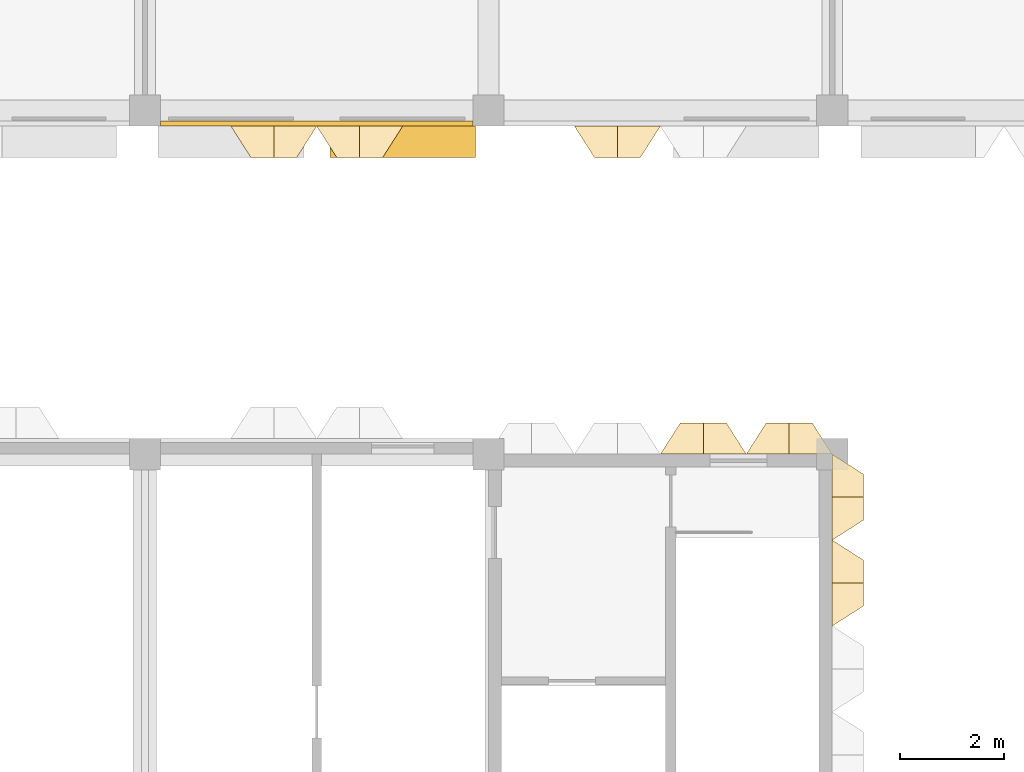
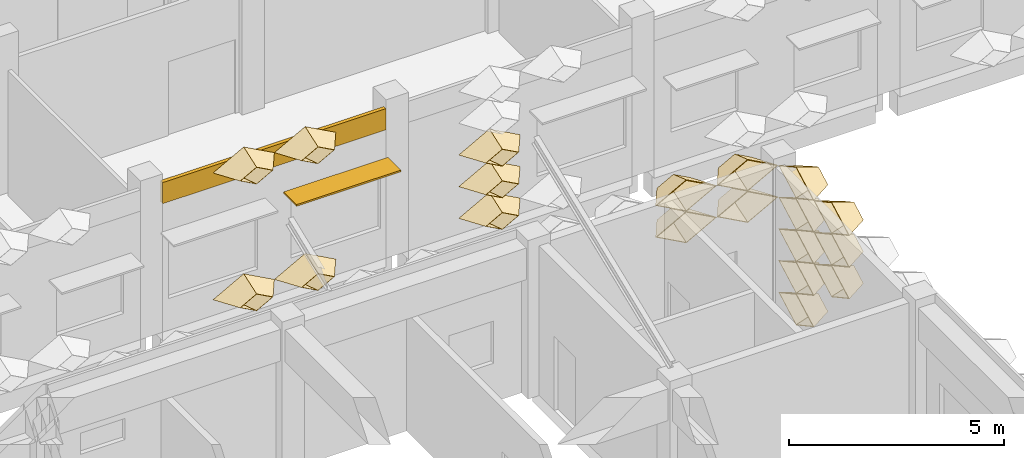
# One storey, part 86 of 102: 20 coverings, 1 shading device.
"""IFC4 building model written with IfcOpenShell, lengths in metres."""

from ifc_helpers import new_model, entity, si_unit, direction, frame, frame_2d, origin, origin_2d, place, context, subcontext, project, spatial, rectangle, extrude, material, layer, layer_set, type_object, element, save


model = new_model("IFC4")

# Units and contexts
model_context = context("Model", 3, precision=1e-05, world=origin(), true_north=direction((0.0, 1.0)))
body_context = subcontext(model_context, "Body", "Model", "MODEL_VIEW")
ifc_project = project(units=[si_unit("LENGTHUNIT", "METRE"), si_unit("AREAUNIT", "SQUARE_METRE"), si_unit("VOLUMEUNIT", "CUBIC_METRE"), si_unit("PLANEANGLEUNIT", "RADIAN"), si_unit("MASSUNIT", "GRAM", prefix="KILO")], contexts=[model_context])

# Site, building, storey
site_placement = place(None, origin())
site = spatial("IfcSite", under=ifc_project, at=site_placement, CompositionType="ELEMENT")
building_placement = place(site_placement, origin())
building = spatial("IfcBuilding", under=site, at=building_placement, Name="Lantern Court Research Institute", CompositionType="ELEMENT")
storey_placement = place(building_placement, frame((0.0, 0.0, 9.89990234375)))
storey = spatial("IfcBuildingStorey", under=building, at=storey_placement, Name="L02", CompositionType="ELEMENT", Elevation=9.89990234375)

# Shading device
ifc_material_1 = material(Name="Aluminium alloy 6063-T6", Category="aluminium")
ifc_layer_1 = layer(ifc_material_1, 0.050048828125)
ifc_layer_set_1 = layer_set([ifc_layer_1], Name="Aluminium alloy 6063-T6")
shading_device_type = type_object("IfcShadingDeviceType", Name="Brise-soleil blade 2800 x 600 x 50 aluminium", PredefinedType="USERDEFINED", material=ifc_layer_set_1)
shading_device_placement = place(storey_placement, frame((18.14990234375, 81.89990234375, 2.80029296875), z_axis=(0.0, 0.0, 1.0), x_axis=(-1.0, 0.0, 0.0)))
element("IfcShadingDevice", 1, at=shading_device_placement, inside=storey, type_object=shading_device_type, Name="Brise-soleil blade L02 S", ObjectType="LOUVRE", PredefinedType="USERDEFINED", context=body_context, shape_type="SweptSolid", body=[
    extrude(rectangle(XDim=2.800048828125, YDim=0.60009765625, at=origin_2d()), origin(), (0.0, 0.0, 1.0), 0.050048828125),
])

# Coverings
ifc_material_2 = material(Name="Aluminium composite panel with mineral wool insulation", Category="aluminium")
ifc_layer_2 = layer(ifc_material_2, 0.10009765625)
ifc_layer_set_2 = layer_set([ifc_layer_2], Name="Aluminium composite panel with mineral wool insulation")
covering_type_1 = type_object("IfcCoveringType", Name="Edge fascia panel 100 aluminium faced", PredefinedType="CLADDING", material=ifc_layer_set_2)
covering_1_placement = place(storey_placement, frame((19.5, 82.25, 3.650146484375), z_axis=(0.0, 0.0, 1.0), x_axis=(-1.0, 0.0, 0.0)))
element("IfcCovering", 2, at=covering_1_placement, inside=storey, type_object=covering_type_1, Name="Edge fascia V6S L02 03", PredefinedType="CLADDING", context=body_context, shape_type="SweptSolid", body=[
    extrude(rectangle(XDim=6.0, YDim=0.10009765625, at=frame_2d((3.0, 0.0))), origin(), (0.0, 0.0, 1.0), 0.599853515625),
])
ifc_material_3 = material(Name="Anodised aluminium", Category="aluminium")
ifc_layer_3 = layer(ifc_material_3, 0.01611328125)
ifc_layer_set_3 = layer_set([ifc_layer_3], Name="Anodised aluminium")
covering_type_2 = type_object("IfcCoveringType", Name="Fin cassette 1650 x 900 x 600 aluminium", PredefinedType="CLADDING", material=ifc_layer_set_3)
covering_2_placement = place(storey_placement, frame((26.39990234375, 75.074951171875, 0.4501953125), z_axis=(1.0, 0.0, 0.0), x_axis=(0.0, 1.0, 0.0)))
cartesian_point_1 = entity("IfcCartesianPoint", [0.824951171875, 0.0])
cartesian_point_2 = entity("IfcCartesianPoint", [0.79150390625, 0.0])
cartesian_point_3 = entity("IfcCartesianPoint", [0.44189453125, 0.0])
cartesian_point_4 = entity("IfcCartesianPoint", [0.43359375, 0.0])
element("IfcCovering", 3, at=covering_2_placement, inside=storey, type_object=covering_type_2, Name="Fin cassette V3E-L02 1.46", PredefinedType="CLADDING", context=body_context, shape_type="SweptSolid", body=[
    entity("IfcExtrudedAreaSolidTapered", entity("IfcArbitraryProfileDefWithVoids", "AREA", None, entity("IfcPolyline", [cartesian_point_1, entity("IfcCartesianPoint", [0.0, 0.449951171875]), entity("IfcCartesianPoint", [-0.824951171875, 0.0]), entity("IfcCartesianPoint", [0.0, -0.449951171875]), cartesian_point_1]), [entity("IfcPolyline", [cartesian_point_2, entity("IfcCartesianPoint", [0.0, 0.431884765625]), entity("IfcCartesianPoint", [-0.79150390625, 0.0]), entity("IfcCartesianPoint", [0.0, -0.431884765625]), cartesian_point_2])]), entity("IfcAxis2Placement3D", entity("IfcCartesianPoint", [0.0, 0.0, 0.0])), entity("IfcDirection", [0.0, 0.0, 1.0]), 0.60009765625, entity("IfcArbitraryProfileDefWithVoids", "AREA", None, entity("IfcPolyline", [cartesian_point_3, entity("IfcCartesianPoint", [0.0, 0.240966796875]), entity("IfcCartesianPoint", [-0.44189453125, 0.0]), entity("IfcCartesianPoint", [0.0, -0.240966796875]), cartesian_point_3]), [entity("IfcPolyline", [cartesian_point_4, entity("IfcCartesianPoint", [0.0, 0.236572265625]), entity("IfcCartesianPoint", [-0.43359375, 0.0]), entity("IfcCartesianPoint", [0.0, -0.236572265625]), cartesian_point_4])])),
])
covering_3_placement = place(storey_placement, frame((26.39990234375, 75.074951171875, 1.35009765625), z_axis=(1.0, 0.0, 0.0), x_axis=(0.0, 1.0, 0.0)))
cartesian_point_5 = entity("IfcCartesianPoint", [0.824951171875, 0.0])
cartesian_point_6 = entity("IfcCartesianPoint", [0.79150390625, 0.0])
cartesian_point_7 = entity("IfcCartesianPoint", [0.44189453125, 0.0])
cartesian_point_8 = entity("IfcCartesianPoint", [0.43359375, 0.0])
element("IfcCovering", 4, at=covering_3_placement, inside=storey, type_object=covering_type_2, Name="Fin cassette V3E-L02 2.46", PredefinedType="CLADDING", context=body_context, shape_type="SweptSolid", body=[
    entity("IfcExtrudedAreaSolidTapered", entity("IfcArbitraryProfileDefWithVoids", "AREA", None, entity("IfcPolyline", [cartesian_point_5, entity("IfcCartesianPoint", [0.0, 0.449951171875]), entity("IfcCartesianPoint", [-0.824951171875, 0.0]), entity("IfcCartesianPoint", [0.0, -0.449951171875]), cartesian_point_5]), [entity("IfcPolyline", [cartesian_point_6, entity("IfcCartesianPoint", [0.0, 0.431884765625]), entity("IfcCartesianPoint", [-0.79150390625, 0.0]), entity("IfcCartesianPoint", [0.0, -0.431884765625]), cartesian_point_6])]), entity("IfcAxis2Placement3D", entity("IfcCartesianPoint", [0.0, 0.0, 0.0])), entity("IfcDirection", [0.0, 0.0, 1.0]), 0.60009765625, entity("IfcArbitraryProfileDefWithVoids", "AREA", None, entity("IfcPolyline", [cartesian_point_7, entity("IfcCartesianPoint", [0.0, 0.240966796875]), entity("IfcCartesianPoint", [-0.44189453125, 0.0]), entity("IfcCartesianPoint", [0.0, -0.240966796875]), cartesian_point_7]), [entity("IfcPolyline", [cartesian_point_8, entity("IfcCartesianPoint", [0.0, 0.236572265625]), entity("IfcCartesianPoint", [-0.43359375, 0.0]), entity("IfcCartesianPoint", [0.0, -0.236572265625]), cartesian_point_8])])),
])
covering_4_placement = place(storey_placement, frame((26.39990234375, 73.425048828125, 2.25), z_axis=(1.0, 0.0, 0.0), x_axis=(0.0, 1.0, 0.0)))
cartesian_point_9 = entity("IfcCartesianPoint", [0.824951171875, 0.0])
cartesian_point_10 = entity("IfcCartesianPoint", [0.79150390625, 0.0])
cartesian_point_11 = entity("IfcCartesianPoint", [0.44189453125, 0.0])
cartesian_point_12 = entity("IfcCartesianPoint", [0.43359375, 0.0])
element("IfcCovering", 5, at=covering_4_placement, inside=storey, type_object=covering_type_2, Name="Fin cassette V3E-L02 3.45", PredefinedType="CLADDING", context=body_context, shape_type="SweptSolid", body=[
    entity("IfcExtrudedAreaSolidTapered", entity("IfcArbitraryProfileDefWithVoids", "AREA", None, entity("IfcPolyline", [cartesian_point_9, entity("IfcCartesianPoint", [0.0, 0.449951171875]), entity("IfcCartesianPoint", [-0.824951171875, 0.0]), entity("IfcCartesianPoint", [0.0, -0.449951171875]), cartesian_point_9]), [entity("IfcPolyline", [cartesian_point_10, entity("IfcCartesianPoint", [0.0, 0.431884765625]), entity("IfcCartesianPoint", [-0.79150390625, 0.0]), entity("IfcCartesianPoint", [0.0, -0.431884765625]), cartesian_point_10])]), entity("IfcAxis2Placement3D", entity("IfcCartesianPoint", [0.0, 0.0, 0.0])), entity("IfcDirection", [0.0, 0.0, 1.0]), 0.60009765625, entity("IfcArbitraryProfileDefWithVoids", "AREA", None, entity("IfcPolyline", [cartesian_point_11, entity("IfcCartesianPoint", [0.0, 0.240966796875]), entity("IfcCartesianPoint", [-0.44189453125, 0.0]), entity("IfcCartesianPoint", [0.0, -0.240966796875]), cartesian_point_11]), [entity("IfcPolyline", [cartesian_point_12, entity("IfcCartesianPoint", [0.0, 0.236572265625]), entity("IfcCartesianPoint", [-0.43359375, 0.0]), entity("IfcCartesianPoint", [0.0, -0.236572265625]), cartesian_point_12])])),
])
covering_5_placement = place(storey_placement, frame((26.39990234375, 75.074951171875, 2.25), z_axis=(1.0, 0.0, 0.0), x_axis=(0.0, 1.0, 0.0)))
cartesian_point_13 = entity("IfcCartesianPoint", [0.824951171875, 0.0])
cartesian_point_14 = entity("IfcCartesianPoint", [0.79150390625, 0.0])
cartesian_point_15 = entity("IfcCartesianPoint", [0.44189453125, 0.0])
cartesian_point_16 = entity("IfcCartesianPoint", [0.43359375, 0.0])
element("IfcCovering", 6, at=covering_5_placement, inside=storey, type_object=covering_type_2, Name="Fin cassette V3E-L02 3.46", PredefinedType="CLADDING", context=body_context, shape_type="SweptSolid", body=[
    entity("IfcExtrudedAreaSolidTapered", entity("IfcArbitraryProfileDefWithVoids", "AREA", None, entity("IfcPolyline", [cartesian_point_13, entity("IfcCartesianPoint", [0.0, 0.449951171875]), entity("IfcCartesianPoint", [-0.824951171875, 0.0]), entity("IfcCartesianPoint", [0.0, -0.449951171875]), cartesian_point_13]), [entity("IfcPolyline", [cartesian_point_14, entity("IfcCartesianPoint", [0.0, 0.431884765625]), entity("IfcCartesianPoint", [-0.79150390625, 0.0]), entity("IfcCartesianPoint", [0.0, -0.431884765625]), cartesian_point_14])]), entity("IfcAxis2Placement3D", entity("IfcCartesianPoint", [0.0, 0.0, 0.0])), entity("IfcDirection", [0.0, 0.0, 1.0]), 0.60009765625, entity("IfcArbitraryProfileDefWithVoids", "AREA", None, entity("IfcPolyline", [cartesian_point_15, entity("IfcCartesianPoint", [0.0, 0.240966796875]), entity("IfcCartesianPoint", [-0.44189453125, 0.0]), entity("IfcCartesianPoint", [0.0, -0.240966796875]), cartesian_point_15]), [entity("IfcPolyline", [cartesian_point_16, entity("IfcCartesianPoint", [0.0, 0.236572265625]), entity("IfcCartesianPoint", [-0.43359375, 0.0]), entity("IfcCartesianPoint", [0.0, -0.236572265625]), cartesian_point_16])])),
])
covering_6_placement = place(storey_placement, frame((26.39990234375, 73.425048828125, 3.150146484375), z_axis=(1.0, 0.0, 0.0), x_axis=(0.0, 1.0, 0.0)))
cartesian_point_17 = entity("IfcCartesianPoint", [0.824951171875, 0.0])
cartesian_point_18 = entity("IfcCartesianPoint", [0.79150390625, 0.0])
cartesian_point_19 = entity("IfcCartesianPoint", [0.44189453125, 0.0])
cartesian_point_20 = entity("IfcCartesianPoint", [0.43359375, 0.0])
element("IfcCovering", 7, at=covering_6_placement, inside=storey, type_object=covering_type_2, Name="Fin cassette V3E-L02 4.45", PredefinedType="CLADDING", context=body_context, shape_type="SweptSolid", body=[
    entity("IfcExtrudedAreaSolidTapered", entity("IfcArbitraryProfileDefWithVoids", "AREA", None, entity("IfcPolyline", [cartesian_point_17, entity("IfcCartesianPoint", [0.0, 0.449951171875]), entity("IfcCartesianPoint", [-0.824951171875, 0.0]), entity("IfcCartesianPoint", [0.0, -0.449951171875]), cartesian_point_17]), [entity("IfcPolyline", [cartesian_point_18, entity("IfcCartesianPoint", [0.0, 0.431884765625]), entity("IfcCartesianPoint", [-0.79150390625, 0.0]), entity("IfcCartesianPoint", [0.0, -0.431884765625]), cartesian_point_18])]), entity("IfcAxis2Placement3D", entity("IfcCartesianPoint", [0.0, 0.0, 0.0])), entity("IfcDirection", [0.0, 0.0, 1.0]), 0.60009765625, entity("IfcArbitraryProfileDefWithVoids", "AREA", None, entity("IfcPolyline", [cartesian_point_19, entity("IfcCartesianPoint", [0.0, 0.240966796875]), entity("IfcCartesianPoint", [-0.44189453125, 0.0]), entity("IfcCartesianPoint", [0.0, -0.240966796875]), cartesian_point_19]), [entity("IfcPolyline", [cartesian_point_20, entity("IfcCartesianPoint", [0.0, 0.236572265625]), entity("IfcCartesianPoint", [-0.43359375, 0.0]), entity("IfcCartesianPoint", [0.0, -0.236572265625]), cartesian_point_20])])),
])
covering_7_placement = place(storey_placement, frame((26.39990234375, 75.074951171875, 3.150146484375), z_axis=(1.0, 0.0, 0.0), x_axis=(0.0, 1.0, 0.0)))
cartesian_point_21 = entity("IfcCartesianPoint", [0.824951171875, 0.0])
cartesian_point_22 = entity("IfcCartesianPoint", [0.79150390625, 0.0])
cartesian_point_23 = entity("IfcCartesianPoint", [0.44189453125, 0.0])
cartesian_point_24 = entity("IfcCartesianPoint", [0.43359375, 0.0])
element("IfcCovering", 8, at=covering_7_placement, inside=storey, type_object=covering_type_2, Name="Fin cassette V3E-L02 4.46", PredefinedType="CLADDING", context=body_context, shape_type="SweptSolid", body=[
    entity("IfcExtrudedAreaSolidTapered", entity("IfcArbitraryProfileDefWithVoids", "AREA", None, entity("IfcPolyline", [cartesian_point_21, entity("IfcCartesianPoint", [0.0, 0.449951171875]), entity("IfcCartesianPoint", [-0.824951171875, 0.0]), entity("IfcCartesianPoint", [0.0, -0.449951171875]), cartesian_point_21]), [entity("IfcPolyline", [cartesian_point_22, entity("IfcCartesianPoint", [0.0, 0.431884765625]), entity("IfcCartesianPoint", [-0.79150390625, 0.0]), entity("IfcCartesianPoint", [0.0, -0.431884765625]), cartesian_point_22])]), entity("IfcAxis2Placement3D", entity("IfcCartesianPoint", [0.0, 0.0, 0.0])), entity("IfcDirection", [0.0, 0.0, 1.0]), 0.60009765625, entity("IfcArbitraryProfileDefWithVoids", "AREA", None, entity("IfcPolyline", [cartesian_point_23, entity("IfcCartesianPoint", [0.0, 0.240966796875]), entity("IfcCartesianPoint", [-0.44189453125, 0.0]), entity("IfcCartesianPoint", [0.0, -0.240966796875]), cartesian_point_23]), [entity("IfcPolyline", [cartesian_point_24, entity("IfcCartesianPoint", [0.0, 0.236572265625]), entity("IfcCartesianPoint", [-0.43359375, 0.0]), entity("IfcCartesianPoint", [0.0, -0.236572265625]), cartesian_point_24])])),
])
covering_8_placement = place(storey_placement, frame((26.39990234375, 73.425048828125, 4.050048828125), z_axis=(1.0, 0.0, 0.0), x_axis=(0.0, 1.0, 0.0)))
cartesian_point_25 = entity("IfcCartesianPoint", [0.824951171875, 0.0])
cartesian_point_26 = entity("IfcCartesianPoint", [0.79150390625, 0.0])
cartesian_point_27 = entity("IfcCartesianPoint", [0.44189453125, 0.0])
cartesian_point_28 = entity("IfcCartesianPoint", [0.43359375, 0.0])
element("IfcCovering", 9, at=covering_8_placement, inside=storey, type_object=covering_type_2, Name="Fin cassette V3E-L02 5.45", PredefinedType="CLADDING", context=body_context, shape_type="SweptSolid", body=[
    entity("IfcExtrudedAreaSolidTapered", entity("IfcArbitraryProfileDefWithVoids", "AREA", None, entity("IfcPolyline", [cartesian_point_25, entity("IfcCartesianPoint", [0.0, 0.449951171875]), entity("IfcCartesianPoint", [-0.824951171875, 0.0]), entity("IfcCartesianPoint", [0.0, -0.449951171875]), cartesian_point_25]), [entity("IfcPolyline", [cartesian_point_26, entity("IfcCartesianPoint", [0.0, 0.431884765625]), entity("IfcCartesianPoint", [-0.79150390625, 0.0]), entity("IfcCartesianPoint", [0.0, -0.431884765625]), cartesian_point_26])]), entity("IfcAxis2Placement3D", entity("IfcCartesianPoint", [0.0, 0.0, 0.0])), entity("IfcDirection", [0.0, 0.0, 1.0]), 0.60009765625, entity("IfcArbitraryProfileDefWithVoids", "AREA", None, entity("IfcPolyline", [cartesian_point_27, entity("IfcCartesianPoint", [0.0, 0.240966796875]), entity("IfcCartesianPoint", [-0.44189453125, 0.0]), entity("IfcCartesianPoint", [0.0, -0.240966796875]), cartesian_point_27]), [entity("IfcPolyline", [cartesian_point_28, entity("IfcCartesianPoint", [0.0, 0.236572265625]), entity("IfcCartesianPoint", [-0.43359375, 0.0]), entity("IfcCartesianPoint", [0.0, -0.236572265625]), cartesian_point_28])])),
])
covering_9_placement = place(storey_placement, frame((26.39990234375, 75.074951171875, 4.050048828125), z_axis=(1.0, 0.0, 0.0), x_axis=(0.0, 1.0, 0.0)))
cartesian_point_29 = entity("IfcCartesianPoint", [0.824951171875, 0.0])
cartesian_point_30 = entity("IfcCartesianPoint", [0.79150390625, 0.0])
cartesian_point_31 = entity("IfcCartesianPoint", [0.44189453125, 0.0])
cartesian_point_32 = entity("IfcCartesianPoint", [0.43359375, 0.0])
element("IfcCovering", 10, at=covering_9_placement, inside=storey, type_object=covering_type_2, Name="Fin cassette V3E-L02 5.46", PredefinedType="CLADDING", context=body_context, shape_type="SweptSolid", body=[
    entity("IfcExtrudedAreaSolidTapered", entity("IfcArbitraryProfileDefWithVoids", "AREA", None, entity("IfcPolyline", [cartesian_point_29, entity("IfcCartesianPoint", [0.0, 0.449951171875]), entity("IfcCartesianPoint", [-0.824951171875, 0.0]), entity("IfcCartesianPoint", [0.0, -0.449951171875]), cartesian_point_29]), [entity("IfcPolyline", [cartesian_point_30, entity("IfcCartesianPoint", [0.0, 0.431884765625]), entity("IfcCartesianPoint", [-0.79150390625, 0.0]), entity("IfcCartesianPoint", [0.0, -0.431884765625]), cartesian_point_30])]), entity("IfcAxis2Placement3D", entity("IfcCartesianPoint", [0.0, 0.0, 0.0])), entity("IfcDirection", [0.0, 0.0, 1.0]), 0.60009765625, entity("IfcArbitraryProfileDefWithVoids", "AREA", None, entity("IfcPolyline", [cartesian_point_31, entity("IfcCartesianPoint", [0.0, 0.240966796875]), entity("IfcCartesianPoint", [-0.44189453125, 0.0]), entity("IfcCartesianPoint", [0.0, -0.240966796875]), cartesian_point_31]), [entity("IfcPolyline", [cartesian_point_32, entity("IfcCartesianPoint", [0.0, 0.236572265625]), entity("IfcCartesianPoint", [-0.43359375, 0.0]), entity("IfcCartesianPoint", [0.0, -0.236572265625]), cartesian_point_32])])),
])
covering_10_placement = place(storey_placement, frame((23.925048828125, 75.89990234375, 3.150146484375), z_axis=(0.0, 1.0, 0.0), x_axis=(-1.0, 0.0, 0.0)))
cartesian_point_33 = entity("IfcCartesianPoint", [0.824951171875, 0.0])
cartesian_point_34 = entity("IfcCartesianPoint", [0.79150390625, 0.0])
cartesian_point_35 = entity("IfcCartesianPoint", [0.44189453125, 0.0])
cartesian_point_36 = entity("IfcCartesianPoint", [0.43359375, 0.0])
element("IfcCovering", 11, at=covering_10_placement, inside=storey, type_object=covering_type_2, Name="Fin cassette V3N-L02 4.15", PredefinedType="CLADDING", context=body_context, shape_type="SweptSolid", body=[
    entity("IfcExtrudedAreaSolidTapered", entity("IfcArbitraryProfileDefWithVoids", "AREA", None, entity("IfcPolyline", [cartesian_point_33, entity("IfcCartesianPoint", [0.0, 0.449951171875]), entity("IfcCartesianPoint", [-0.824951171875, 0.0]), entity("IfcCartesianPoint", [0.0, -0.449951171875]), cartesian_point_33]), [entity("IfcPolyline", [cartesian_point_34, entity("IfcCartesianPoint", [0.0, 0.431884765625]), entity("IfcCartesianPoint", [-0.79150390625, 0.0]), entity("IfcCartesianPoint", [0.0, -0.431884765625]), cartesian_point_34])]), entity("IfcAxis2Placement3D", entity("IfcCartesianPoint", [0.0, 0.0, 0.0])), entity("IfcDirection", [0.0, 0.0, 1.0]), 0.60009765625, entity("IfcArbitraryProfileDefWithVoids", "AREA", None, entity("IfcPolyline", [cartesian_point_35, entity("IfcCartesianPoint", [0.0, 0.240966796875]), entity("IfcCartesianPoint", [-0.44189453125, 0.0]), entity("IfcCartesianPoint", [0.0, -0.240966796875]), cartesian_point_35]), [entity("IfcPolyline", [cartesian_point_36, entity("IfcCartesianPoint", [0.0, 0.236572265625]), entity("IfcCartesianPoint", [-0.43359375, 0.0]), entity("IfcCartesianPoint", [0.0, -0.236572265625]), cartesian_point_36])])),
])
covering_11_placement = place(storey_placement, frame((25.574951171875, 75.89990234375, 3.150146484375), z_axis=(0.0, 1.0, 0.0), x_axis=(-1.0, 0.0, 0.0)))
cartesian_point_37 = entity("IfcCartesianPoint", [0.824951171875, 0.0])
cartesian_point_38 = entity("IfcCartesianPoint", [0.79150390625, 0.0])
cartesian_point_39 = entity("IfcCartesianPoint", [0.44189453125, 0.0])
cartesian_point_40 = entity("IfcCartesianPoint", [0.43359375, 0.0])
element("IfcCovering", 12, at=covering_11_placement, inside=storey, type_object=covering_type_2, Name="Fin cassette V3N-L02 4.16", PredefinedType="CLADDING", context=body_context, shape_type="SweptSolid", body=[
    entity("IfcExtrudedAreaSolidTapered", entity("IfcArbitraryProfileDefWithVoids", "AREA", None, entity("IfcPolyline", [cartesian_point_37, entity("IfcCartesianPoint", [0.0, 0.449951171875]), entity("IfcCartesianPoint", [-0.824951171875, 0.0]), entity("IfcCartesianPoint", [0.0, -0.449951171875]), cartesian_point_37]), [entity("IfcPolyline", [cartesian_point_38, entity("IfcCartesianPoint", [0.0, 0.431884765625]), entity("IfcCartesianPoint", [-0.79150390625, 0.0]), entity("IfcCartesianPoint", [0.0, -0.431884765625]), cartesian_point_38])]), entity("IfcAxis2Placement3D", entity("IfcCartesianPoint", [0.0, 0.0, 0.0])), entity("IfcDirection", [0.0, 0.0, 1.0]), 0.60009765625, entity("IfcArbitraryProfileDefWithVoids", "AREA", None, entity("IfcPolyline", [cartesian_point_39, entity("IfcCartesianPoint", [0.0, 0.240966796875]), entity("IfcCartesianPoint", [-0.44189453125, 0.0]), entity("IfcCartesianPoint", [0.0, -0.240966796875]), cartesian_point_39]), [entity("IfcPolyline", [cartesian_point_40, entity("IfcCartesianPoint", [0.0, 0.236572265625]), entity("IfcCartesianPoint", [-0.43359375, 0.0]), entity("IfcCartesianPoint", [0.0, -0.236572265625]), cartesian_point_40])])),
])
covering_12_placement = place(storey_placement, frame((23.925048828125, 75.89990234375, 4.050048828125), z_axis=(0.0, 1.0, 0.0), x_axis=(-1.0, 0.0, 0.0)))
cartesian_point_41 = entity("IfcCartesianPoint", [0.824951171875, 0.0])
cartesian_point_42 = entity("IfcCartesianPoint", [0.79150390625, 0.0])
cartesian_point_43 = entity("IfcCartesianPoint", [0.44189453125, 0.0])
cartesian_point_44 = entity("IfcCartesianPoint", [0.43359375, 0.0])
element("IfcCovering", 13, at=covering_12_placement, inside=storey, type_object=covering_type_2, Name="Fin cassette V3N-L02 5.15", PredefinedType="CLADDING", context=body_context, shape_type="SweptSolid", body=[
    entity("IfcExtrudedAreaSolidTapered", entity("IfcArbitraryProfileDefWithVoids", "AREA", None, entity("IfcPolyline", [cartesian_point_41, entity("IfcCartesianPoint", [0.0, 0.449951171875]), entity("IfcCartesianPoint", [-0.824951171875, 0.0]), entity("IfcCartesianPoint", [0.0, -0.449951171875]), cartesian_point_41]), [entity("IfcPolyline", [cartesian_point_42, entity("IfcCartesianPoint", [0.0, 0.431884765625]), entity("IfcCartesianPoint", [-0.79150390625, 0.0]), entity("IfcCartesianPoint", [0.0, -0.431884765625]), cartesian_point_42])]), entity("IfcAxis2Placement3D", entity("IfcCartesianPoint", [0.0, 0.0, 0.0])), entity("IfcDirection", [0.0, 0.0, 1.0]), 0.60009765625, entity("IfcArbitraryProfileDefWithVoids", "AREA", None, entity("IfcPolyline", [cartesian_point_43, entity("IfcCartesianPoint", [0.0, 0.240966796875]), entity("IfcCartesianPoint", [-0.44189453125, 0.0]), entity("IfcCartesianPoint", [0.0, -0.240966796875]), cartesian_point_43]), [entity("IfcPolyline", [cartesian_point_44, entity("IfcCartesianPoint", [0.0, 0.236572265625]), entity("IfcCartesianPoint", [-0.43359375, 0.0]), entity("IfcCartesianPoint", [0.0, -0.236572265625]), cartesian_point_44])])),
])
covering_13_placement = place(storey_placement, frame((25.574951171875, 75.89990234375, 4.050048828125), z_axis=(0.0, 1.0, 0.0), x_axis=(-1.0, 0.0, 0.0)))
cartesian_point_45 = entity("IfcCartesianPoint", [0.824951171875, 0.0])
cartesian_point_46 = entity("IfcCartesianPoint", [0.79150390625, 0.0])
cartesian_point_47 = entity("IfcCartesianPoint", [0.44189453125, 0.0])
cartesian_point_48 = entity("IfcCartesianPoint", [0.43359375, 0.0])
element("IfcCovering", 14, at=covering_13_placement, inside=storey, type_object=covering_type_2, Name="Fin cassette V3N-L02 5.16", PredefinedType="CLADDING", context=body_context, shape_type="SweptSolid", body=[
    entity("IfcExtrudedAreaSolidTapered", entity("IfcArbitraryProfileDefWithVoids", "AREA", None, entity("IfcPolyline", [cartesian_point_45, entity("IfcCartesianPoint", [0.0, 0.449951171875]), entity("IfcCartesianPoint", [-0.824951171875, 0.0]), entity("IfcCartesianPoint", [0.0, -0.449951171875]), cartesian_point_45]), [entity("IfcPolyline", [cartesian_point_46, entity("IfcCartesianPoint", [0.0, 0.431884765625]), entity("IfcCartesianPoint", [-0.79150390625, 0.0]), entity("IfcCartesianPoint", [0.0, -0.431884765625]), cartesian_point_46])]), entity("IfcAxis2Placement3D", entity("IfcCartesianPoint", [0.0, 0.0, 0.0])), entity("IfcDirection", [0.0, 0.0, 1.0]), 0.60009765625, entity("IfcArbitraryProfileDefWithVoids", "AREA", None, entity("IfcPolyline", [cartesian_point_47, entity("IfcCartesianPoint", [0.0, 0.240966796875]), entity("IfcCartesianPoint", [-0.44189453125, 0.0]), entity("IfcCartesianPoint", [0.0, -0.240966796875]), cartesian_point_47]), [entity("IfcPolyline", [cartesian_point_48, entity("IfcCartesianPoint", [0.0, 0.236572265625]), entity("IfcCartesianPoint", [-0.43359375, 0.0]), entity("IfcCartesianPoint", [0.0, -0.236572265625]), cartesian_point_48])])),
])
covering_14_placement = place(storey_placement, frame((15.675048828125, 82.199951171875, 0.4501953125), z_axis=(0.0, -1.0, 0.0), x_axis=(1.0, 0.0, 0.0)))
cartesian_point_49 = entity("IfcCartesianPoint", [0.824951171875, 0.0])
cartesian_point_50 = entity("IfcCartesianPoint", [0.79150390625, 0.0])
cartesian_point_51 = entity("IfcCartesianPoint", [0.44189453125, 0.0])
cartesian_point_52 = entity("IfcCartesianPoint", [0.43359375, 0.0])
element("IfcCovering", 15, at=covering_14_placement, inside=storey, type_object=covering_type_2, Name="Fin cassette V6S-L02 1.10", PredefinedType="CLADDING", context=body_context, shape_type="SweptSolid", body=[
    entity("IfcExtrudedAreaSolidTapered", entity("IfcArbitraryProfileDefWithVoids", "AREA", None, entity("IfcPolyline", [cartesian_point_49, entity("IfcCartesianPoint", [0.0, 0.449951171875]), entity("IfcCartesianPoint", [-0.824951171875, 0.0]), entity("IfcCartesianPoint", [0.0, -0.449951171875]), cartesian_point_49]), [entity("IfcPolyline", [cartesian_point_50, entity("IfcCartesianPoint", [0.0, 0.431884765625]), entity("IfcCartesianPoint", [-0.79150390625, 0.0]), entity("IfcCartesianPoint", [0.0, -0.431884765625]), cartesian_point_50])]), entity("IfcAxis2Placement3D", entity("IfcCartesianPoint", [0.0, 0.0, 0.0])), entity("IfcDirection", [0.0, 0.0, 1.0]), 0.60009765625, entity("IfcArbitraryProfileDefWithVoids", "AREA", None, entity("IfcPolyline", [cartesian_point_51, entity("IfcCartesianPoint", [0.0, 0.240966796875]), entity("IfcCartesianPoint", [-0.44189453125, 0.0]), entity("IfcCartesianPoint", [0.0, -0.240966796875]), cartesian_point_51]), [entity("IfcPolyline", [cartesian_point_52, entity("IfcCartesianPoint", [0.0, 0.236572265625]), entity("IfcCartesianPoint", [-0.43359375, 0.0]), entity("IfcCartesianPoint", [0.0, -0.236572265625]), cartesian_point_52])])),
])
covering_15_placement = place(storey_placement, frame((17.324951171875, 82.199951171875, 0.4501953125), z_axis=(0.0, -1.0, 0.0), x_axis=(1.0, 0.0, 0.0)))
cartesian_point_53 = entity("IfcCartesianPoint", [0.824951171875, 0.0])
cartesian_point_54 = entity("IfcCartesianPoint", [0.79150390625, 0.0])
cartesian_point_55 = entity("IfcCartesianPoint", [0.44189453125, 0.0])
cartesian_point_56 = entity("IfcCartesianPoint", [0.43359375, 0.0])
element("IfcCovering", 16, at=covering_15_placement, inside=storey, type_object=covering_type_2, Name="Fin cassette V6S-L02 1.11", PredefinedType="CLADDING", context=body_context, shape_type="SweptSolid", body=[
    entity("IfcExtrudedAreaSolidTapered", entity("IfcArbitraryProfileDefWithVoids", "AREA", None, entity("IfcPolyline", [cartesian_point_53, entity("IfcCartesianPoint", [0.0, 0.449951171875]), entity("IfcCartesianPoint", [-0.824951171875, 0.0]), entity("IfcCartesianPoint", [0.0, -0.449951171875]), cartesian_point_53]), [entity("IfcPolyline", [cartesian_point_54, entity("IfcCartesianPoint", [0.0, 0.431884765625]), entity("IfcCartesianPoint", [-0.79150390625, 0.0]), entity("IfcCartesianPoint", [0.0, -0.431884765625]), cartesian_point_54])]), entity("IfcAxis2Placement3D", entity("IfcCartesianPoint", [0.0, 0.0, 0.0])), entity("IfcDirection", [0.0, 0.0, 1.0]), 0.60009765625, entity("IfcArbitraryProfileDefWithVoids", "AREA", None, entity("IfcPolyline", [cartesian_point_55, entity("IfcCartesianPoint", [0.0, 0.240966796875]), entity("IfcCartesianPoint", [-0.44189453125, 0.0]), entity("IfcCartesianPoint", [0.0, -0.240966796875]), cartesian_point_55]), [entity("IfcPolyline", [cartesian_point_56, entity("IfcCartesianPoint", [0.0, 0.236572265625]), entity("IfcCartesianPoint", [-0.43359375, 0.0]), entity("IfcCartesianPoint", [0.0, -0.236572265625]), cartesian_point_56])])),
])
covering_16_placement = place(storey_placement, frame((22.27490234375, 82.199951171875, 0.4501953125), z_axis=(0.0, -1.0, 0.0), x_axis=(1.0, 0.0, 0.0)))
cartesian_point_57 = entity("IfcCartesianPoint", [0.824951171875, 0.0])
cartesian_point_58 = entity("IfcCartesianPoint", [0.79150390625, 0.0])
cartesian_point_59 = entity("IfcCartesianPoint", [0.44189453125, 0.0])
cartesian_point_60 = entity("IfcCartesianPoint", [0.43359375, 0.0])
element("IfcCovering", 17, at=covering_16_placement, inside=storey, type_object=covering_type_2, Name="Fin cassette V6S-L02 1.14", PredefinedType="CLADDING", context=body_context, shape_type="SweptSolid", body=[
    entity("IfcExtrudedAreaSolidTapered", entity("IfcArbitraryProfileDefWithVoids", "AREA", None, entity("IfcPolyline", [cartesian_point_57, entity("IfcCartesianPoint", [0.0, 0.449951171875]), entity("IfcCartesianPoint", [-0.824951171875, 0.0]), entity("IfcCartesianPoint", [0.0, -0.449951171875]), cartesian_point_57]), [entity("IfcPolyline", [cartesian_point_58, entity("IfcCartesianPoint", [0.0, 0.431884765625]), entity("IfcCartesianPoint", [-0.79150390625, 0.0]), entity("IfcCartesianPoint", [0.0, -0.431884765625]), cartesian_point_58])]), entity("IfcAxis2Placement3D", entity("IfcCartesianPoint", [0.0, 0.0, 0.0])), entity("IfcDirection", [0.0, 0.0, 1.0]), 0.60009765625, entity("IfcArbitraryProfileDefWithVoids", "AREA", None, entity("IfcPolyline", [cartesian_point_59, entity("IfcCartesianPoint", [0.0, 0.240966796875]), entity("IfcCartesianPoint", [-0.44189453125, 0.0]), entity("IfcCartesianPoint", [0.0, -0.240966796875]), cartesian_point_59]), [entity("IfcPolyline", [cartesian_point_60, entity("IfcCartesianPoint", [0.0, 0.236572265625]), entity("IfcCartesianPoint", [-0.43359375, 0.0]), entity("IfcCartesianPoint", [0.0, -0.236572265625]), cartesian_point_60])])),
])
covering_17_placement = place(storey_placement, frame((22.27490234375, 82.199951171875, 1.35009765625), z_axis=(0.0, -1.0, 0.0), x_axis=(1.0, 0.0, 0.0)))
cartesian_point_61 = entity("IfcCartesianPoint", [0.824951171875, 0.0])
cartesian_point_62 = entity("IfcCartesianPoint", [0.79150390625, 0.0])
cartesian_point_63 = entity("IfcCartesianPoint", [0.44189453125, 0.0])
cartesian_point_64 = entity("IfcCartesianPoint", [0.43359375, 0.0])
element("IfcCovering", 18, at=covering_17_placement, inside=storey, type_object=covering_type_2, Name="Fin cassette V6S-L02 2.14", PredefinedType="CLADDING", context=body_context, shape_type="SweptSolid", body=[
    entity("IfcExtrudedAreaSolidTapered", entity("IfcArbitraryProfileDefWithVoids", "AREA", None, entity("IfcPolyline", [cartesian_point_61, entity("IfcCartesianPoint", [0.0, 0.449951171875]), entity("IfcCartesianPoint", [-0.824951171875, 0.0]), entity("IfcCartesianPoint", [0.0, -0.449951171875]), cartesian_point_61]), [entity("IfcPolyline", [cartesian_point_62, entity("IfcCartesianPoint", [0.0, 0.431884765625]), entity("IfcCartesianPoint", [-0.79150390625, 0.0]), entity("IfcCartesianPoint", [0.0, -0.431884765625]), cartesian_point_62])]), entity("IfcAxis2Placement3D", entity("IfcCartesianPoint", [0.0, 0.0, 0.0])), entity("IfcDirection", [0.0, 0.0, 1.0]), 0.60009765625, entity("IfcArbitraryProfileDefWithVoids", "AREA", None, entity("IfcPolyline", [cartesian_point_63, entity("IfcCartesianPoint", [0.0, 0.240966796875]), entity("IfcCartesianPoint", [-0.44189453125, 0.0]), entity("IfcCartesianPoint", [0.0, -0.240966796875]), cartesian_point_63]), [entity("IfcPolyline", [cartesian_point_64, entity("IfcCartesianPoint", [0.0, 0.236572265625]), entity("IfcCartesianPoint", [-0.43359375, 0.0]), entity("IfcCartesianPoint", [0.0, -0.236572265625]), cartesian_point_64])])),
])
covering_18_placement = place(storey_placement, frame((22.27490234375, 82.199951171875, 2.25), z_axis=(0.0, -1.0, 0.0), x_axis=(1.0, 0.0, 0.0)))
cartesian_point_65 = entity("IfcCartesianPoint", [0.824951171875, 0.0])
cartesian_point_66 = entity("IfcCartesianPoint", [0.79150390625, 0.0])
cartesian_point_67 = entity("IfcCartesianPoint", [0.44189453125, 0.0])
cartesian_point_68 = entity("IfcCartesianPoint", [0.43359375, 0.0])
element("IfcCovering", 19, at=covering_18_placement, inside=storey, type_object=covering_type_2, Name="Fin cassette V6S-L02 3.14", PredefinedType="CLADDING", context=body_context, shape_type="SweptSolid", body=[
    entity("IfcExtrudedAreaSolidTapered", entity("IfcArbitraryProfileDefWithVoids", "AREA", None, entity("IfcPolyline", [cartesian_point_65, entity("IfcCartesianPoint", [0.0, 0.449951171875]), entity("IfcCartesianPoint", [-0.824951171875, 0.0]), entity("IfcCartesianPoint", [0.0, -0.449951171875]), cartesian_point_65]), [entity("IfcPolyline", [cartesian_point_66, entity("IfcCartesianPoint", [0.0, 0.431884765625]), entity("IfcCartesianPoint", [-0.79150390625, 0.0]), entity("IfcCartesianPoint", [0.0, -0.431884765625]), cartesian_point_66])]), entity("IfcAxis2Placement3D", entity("IfcCartesianPoint", [0.0, 0.0, 0.0])), entity("IfcDirection", [0.0, 0.0, 1.0]), 0.60009765625, entity("IfcArbitraryProfileDefWithVoids", "AREA", None, entity("IfcPolyline", [cartesian_point_67, entity("IfcCartesianPoint", [0.0, 0.240966796875]), entity("IfcCartesianPoint", [-0.44189453125, 0.0]), entity("IfcCartesianPoint", [0.0, -0.240966796875]), cartesian_point_67]), [entity("IfcPolyline", [cartesian_point_68, entity("IfcCartesianPoint", [0.0, 0.236572265625]), entity("IfcCartesianPoint", [-0.43359375, 0.0]), entity("IfcCartesianPoint", [0.0, -0.236572265625]), cartesian_point_68])])),
])
covering_19_placement = place(storey_placement, frame((15.675048828125, 82.199951171875, 4.050048828125), z_axis=(0.0, -1.0, 0.0), x_axis=(1.0, 0.0, 0.0)))
cartesian_point_69 = entity("IfcCartesianPoint", [0.824951171875, 0.0])
cartesian_point_70 = entity("IfcCartesianPoint", [0.79150390625, 0.0])
cartesian_point_71 = entity("IfcCartesianPoint", [0.44189453125, 0.0])
cartesian_point_72 = entity("IfcCartesianPoint", [0.43359375, 0.0])
element("IfcCovering", 20, at=covering_19_placement, inside=storey, type_object=covering_type_2, Name="Fin cassette V6S-L02 5.10", PredefinedType="CLADDING", context=body_context, shape_type="SweptSolid", body=[
    entity("IfcExtrudedAreaSolidTapered", entity("IfcArbitraryProfileDefWithVoids", "AREA", None, entity("IfcPolyline", [cartesian_point_69, entity("IfcCartesianPoint", [0.0, 0.449951171875]), entity("IfcCartesianPoint", [-0.824951171875, 0.0]), entity("IfcCartesianPoint", [0.0, -0.449951171875]), cartesian_point_69]), [entity("IfcPolyline", [cartesian_point_70, entity("IfcCartesianPoint", [0.0, 0.431884765625]), entity("IfcCartesianPoint", [-0.79150390625, 0.0]), entity("IfcCartesianPoint", [0.0, -0.431884765625]), cartesian_point_70])]), entity("IfcAxis2Placement3D", entity("IfcCartesianPoint", [0.0, 0.0, 0.0])), entity("IfcDirection", [0.0, 0.0, 1.0]), 0.60009765625, entity("IfcArbitraryProfileDefWithVoids", "AREA", None, entity("IfcPolyline", [cartesian_point_71, entity("IfcCartesianPoint", [0.0, 0.240966796875]), entity("IfcCartesianPoint", [-0.44189453125, 0.0]), entity("IfcCartesianPoint", [0.0, -0.240966796875]), cartesian_point_71]), [entity("IfcPolyline", [cartesian_point_72, entity("IfcCartesianPoint", [0.0, 0.236572265625]), entity("IfcCartesianPoint", [-0.43359375, 0.0]), entity("IfcCartesianPoint", [0.0, -0.236572265625]), cartesian_point_72])])),
])
covering_20_placement = place(storey_placement, frame((17.324951171875, 82.199951171875, 4.050048828125), z_axis=(0.0, -1.0, 0.0), x_axis=(1.0, 0.0, 0.0)))
cartesian_point_73 = entity("IfcCartesianPoint", [0.824951171875, 0.0])
cartesian_point_74 = entity("IfcCartesianPoint", [0.79150390625, 0.0])
cartesian_point_75 = entity("IfcCartesianPoint", [0.44189453125, 0.0])
cartesian_point_76 = entity("IfcCartesianPoint", [0.43359375, 0.0])
element("IfcCovering", 21, at=covering_20_placement, inside=storey, type_object=covering_type_2, Name="Fin cassette V6S-L02 5.11", PredefinedType="CLADDING", context=body_context, shape_type="SweptSolid", body=[
    entity("IfcExtrudedAreaSolidTapered", entity("IfcArbitraryProfileDefWithVoids", "AREA", None, entity("IfcPolyline", [cartesian_point_73, entity("IfcCartesianPoint", [0.0, 0.449951171875]), entity("IfcCartesianPoint", [-0.824951171875, 0.0]), entity("IfcCartesianPoint", [0.0, -0.449951171875]), cartesian_point_73]), [entity("IfcPolyline", [cartesian_point_74, entity("IfcCartesianPoint", [0.0, 0.431884765625]), entity("IfcCartesianPoint", [-0.79150390625, 0.0]), entity("IfcCartesianPoint", [0.0, -0.431884765625]), cartesian_point_74])]), entity("IfcAxis2Placement3D", entity("IfcCartesianPoint", [0.0, 0.0, 0.0])), entity("IfcDirection", [0.0, 0.0, 1.0]), 0.60009765625, entity("IfcArbitraryProfileDefWithVoids", "AREA", None, entity("IfcPolyline", [cartesian_point_75, entity("IfcCartesianPoint", [0.0, 0.240966796875]), entity("IfcCartesianPoint", [-0.44189453125, 0.0]), entity("IfcCartesianPoint", [0.0, -0.240966796875]), cartesian_point_75]), [entity("IfcPolyline", [cartesian_point_76, entity("IfcCartesianPoint", [0.0, 0.236572265625]), entity("IfcCartesianPoint", [-0.43359375, 0.0]), entity("IfcCartesianPoint", [0.0, -0.236572265625]), cartesian_point_76])])),
])

save(model, "model.ifc")
